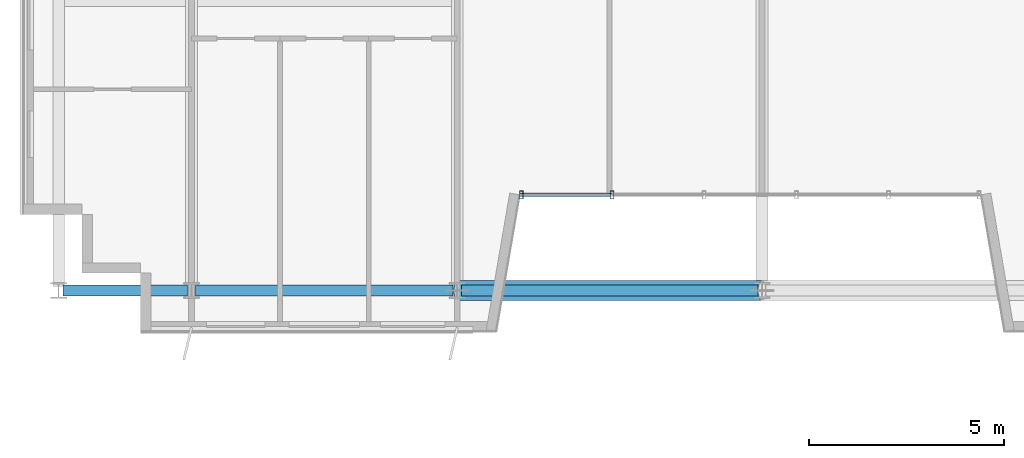
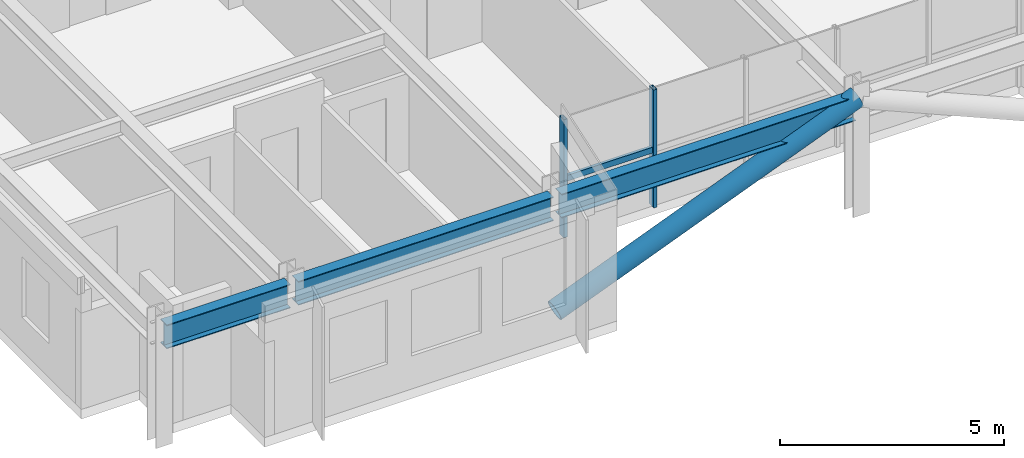
# One storey, part 4 of 25: 4 members, 3 beams, 1 element without a shape of its own.
"""IFC4 building model written with IfcOpenShell, lengths in metres."""

import ifcopenshell
import ifcopenshell.guid

model = None  # the IFC model being written
_history = None  # IfcOwnerHistory: only IFC2X3 demands one
_inside = {}  # id of a spatial element -> (the spatial element, [elements in it])
_under = {}  # id of a project, library or spatial element -> (it, [spatial elements below it])
_declared = {}  # id of a project -> (the project, [libraries it declares])
_typed = {}  # id of a type object -> (the type object, [elements of that type])
_made_of = {}  # id of a material, layer set ... -> (it, [elements and type objects made of it])


def new_model(schema):
    """Start an empty IFC model of exactly this schema.

    Asked for "IFC4X3", IfcOpenShell would pick the latest addendum, in which some entities
    have other attributes; the version numbers below select the first issue.
    IFC2X3 requires an IfcOwnerHistory on every rooted entity: one is made here for all.
    """
    global model, _history
    if schema == "IFC4X3":
        model = ifcopenshell.file(schema_version=(4, 3, 0, 0))
    else:
        model = ifcopenshell.file(schema=schema)
    _inside.clear()
    _under.clear()
    _declared.clear()
    _typed.clear()
    _made_of.clear()
    _history = None
    if model.schema == "IFC2X3":
        org = make("IfcOrganization", Name="unknown")
        user = make(
            "IfcPersonAndOrganization",
            ThePerson=make("IfcPerson", FamilyName="unknown"),
            TheOrganization=org,
        )
        app = make(
            "IfcApplication",
            ApplicationDeveloper=org,
            Version="unknown",
            ApplicationFullName="unknown",
            ApplicationIdentifier="unknown",
        )
        _history = make(
            "IfcOwnerHistory",
            OwningUser=user,
            OwningApplication=app,
            ChangeAction="ADDED",
            CreationDate=0,
        )
    return model


def make(cls, **values):
    """One entity of the class cls with the attributes given. An attribute that is None is left unset."""
    return model.create_entity(
        cls, **{name: value for name, value in values.items() if value is not None}
    )


def rooted(cls, **values):
    """An entity with a GlobalId (a new one), such as an element, a storey or a relation."""
    return make(cls, GlobalId=ifcopenshell.guid.new(), OwnerHistory=_history, **values)


def si_unit(unit_type, name, prefix=None):
    """IfcSIUnit, for example si_unit("LENGTHUNIT", "METRE", prefix="MILLI")."""
    return make("IfcSIUnit", UnitType=unit_type, Prefix=prefix, Name=name)


def assignment(units):
    """IfcUnitAssignment: the units of a project."""
    return None if units is None else make("IfcUnitAssignment", Units=units)


def point(xyz):
    """IfcCartesianPoint."""
    return None if xyz is None else make("IfcCartesianPoint", Coordinates=xyz)


def direction(xyz):
    """IfcDirection."""
    return None if xyz is None else make("IfcDirection", DirectionRatios=xyz)


def frame(location, z_axis=None, x_axis=None):
    """IfcAxis2Placement3D, a coordinate frame: its origin and axes. An axis left out is left unset."""
    return make(
        "IfcAxis2Placement3D",
        Location=point(location),
        Axis=direction(z_axis),
        RefDirection=direction(x_axis),
    )


def frame_2d(location, x_axis=None):
    """IfcAxis2Placement2D, a coordinate frame in the plane: its origin and x axis."""
    return make(
        "IfcAxis2Placement2D", Location=point(location), RefDirection=direction(x_axis)
    )


def origin():
    """The frame at (0, 0, 0) with its axes left unset."""
    return frame((0.0, 0.0, 0.0))


def origin_2d():
    """The frame at (0, 0) in the plane with its x axis left unset."""
    return frame_2d((0.0, 0.0))


def place(relative_to, where):
    """IfcLocalPlacement: puts the frame where relative to a parent placement (None: the world)."""
    return make(
        "IfcLocalPlacement", PlacementRelTo=relative_to, RelativePlacement=where
    )


def context(
    kind, dimensions, precision=None, world=None, true_north=None, identifier=None
):
    """IfcGeometricRepresentationContext, for example the 3D "Model" context."""
    return make(
        "IfcGeometricRepresentationContext",
        ContextIdentifier=identifier,
        ContextType=kind,
        CoordinateSpaceDimension=dimensions,
        Precision=precision,
        WorldCoordinateSystem=world,
        TrueNorth=true_north,
    )


def subcontext(parent, identifier, kind, view, scale=None):
    """IfcGeometricRepresentationSubContext, for example "Body" below "Model"."""
    return make(
        "IfcGeometricRepresentationSubContext",
        ContextIdentifier=identifier,
        ContextType=kind,
        ParentContext=parent,
        TargetScale=scale,
        TargetView=view,
    )


def project(units=None, contexts=None):
    """IfcProject with its units and contexts."""
    return rooted(
        "IfcProject",
        Name="project",
        RepresentationContexts=contexts,
        UnitsInContext=assignment(units),
    )


def spatial(cls, under=None, at=None, **own):
    """A site, building, storey or space (cls), placed at a placement, below another one or the project."""
    s = rooted(cls, ObjectPlacement=at, **own)
    if under is not None:
        _under.setdefault(under.id(), (under, []))[1].append(s)
    return s


def profile(cls, at=None, kind="AREA", **sizes):
    """A parametric profile (cls). Its sizes go by their IFC names, for example OverallWidth=200.0."""
    return make(cls, ProfileType=kind, Position=at, **sizes)


def hollow_rectangle(**sizes):
    """IfcRectangleHollowProfileDef."""
    return profile("IfcRectangleHollowProfileDef", **sizes)


def hollow_circle(**sizes):
    """IfcCircleHollowProfileDef."""
    return profile("IfcCircleHollowProfileDef", **sizes)


def i_section(**sizes):
    """IfcIShapeProfileDef."""
    return profile("IfcIShapeProfileDef", **sizes)


def extrude(swept, where, along, depth):
    """IfcExtrudedAreaSolid: the profile swept, set in the frame where, extruded along a direction by depth."""
    return make(
        "IfcExtrudedAreaSolid",
        SweptArea=swept,
        Position=where,
        ExtrudedDirection=direction(along),
        Depth=depth,
    )


def shape(context_of_items, identifier, shape_type, items):
    """IfcShapeRepresentation: the items that make up one representation, for example the "Body"."""
    return make(
        "IfcShapeRepresentation",
        ContextOfItems=context_of_items,
        RepresentationIdentifier=identifier,
        RepresentationType=shape_type,
        Items=items,
    )


def source(mapping_origin, context_of_items, identifier, shape_type, items):
    """IfcRepresentationMap: a shape defined once, which mapped items show again and again."""
    return make(
        "IfcRepresentationMap",
        MappingOrigin=mapping_origin,
        MappedRepresentation=shape(context_of_items, identifier, shape_type, items),
    )


def transform(
    local_origin,
    x_axis=None,
    y_axis=None,
    z_axis=None,
    scale=None,
    scale2=None,
    scale3=None,
    uniform=True,
):
    """IfcCartesianTransformationOperator3D, or its non-uniform kind. x_axis, y_axis, z_axis: its Axis1, 2, 3."""
    if uniform:
        return make(
            "IfcCartesianTransformationOperator3D",
            Axis1=direction(x_axis),
            Axis2=direction(y_axis),
            LocalOrigin=point(local_origin),
            Scale=scale,
            Axis3=direction(z_axis),
        )
    return make(
        "IfcCartesianTransformationOperator3DnonUniform",
        Axis1=direction(x_axis),
        Axis2=direction(y_axis),
        LocalOrigin=point(local_origin),
        Scale=scale,
        Axis3=direction(z_axis),
        Scale2=scale2,
        Scale3=scale3,
    )


def mapped(mapping_source, mapping_target):
    """IfcMappedItem: shows the shape of a source again, moved by a transform."""
    return make(
        "IfcMappedItem", MappingSource=mapping_source, MappingTarget=mapping_target
    )


def material(Name=None, Category=None):
    """IfcMaterial."""
    return make("IfcMaterial", Name=Name, Category=Category)


def material_profile(
    of_material, cross_section, Name=None, Category=None, Priority=None
):
    """IfcMaterialProfile: a cross section and its material."""
    return make(
        "IfcMaterialProfile",
        Name=Name,
        Material=of_material,
        Profile=cross_section,
        Priority=Priority,
        Category=Category,
    )


def profile_set(profiles, Name=None, composite=None):
    """IfcMaterialProfileSet."""
    return make(
        "IfcMaterialProfileSet",
        Name=Name,
        MaterialProfiles=profiles,
        CompositeProfile=composite,
    )


def made_of(thing, what):
    """Note that an element or type object is made of a material, layer set ...; save() writes the relation."""
    if what is not None:
        _made_of.setdefault(what.id(), (what, []))[1].append(thing)
    return thing


def type_object(cls, material=None, **own):
    """A type object (cls), such as IfcWallType, which elements share."""
    return made_of(rooted(cls, **own), material)


def element(
    cls,
    number,
    at=None,
    inside=None,
    cuts=None,
    type_object=None,
    material=None,
    context=None,
    identifier="Body",
    shape_type=None,
    held_by="IfcProductDefinitionShape",
    body=None,
    shapes=None,
    **own,
):
    """One element of the class cls, such as IfcWall. Its Tag is "e" and its number.

    at: its placement. inside: the storey or other place that contains it. cuts: it is an
    opening in that element (IfcRelVoidsElement). A single representation is given by context,
    identifier, shape_type and body (its items); several are given by shapes. held_by: the class
    of the entity that holds the representations. save() writes the other relations.
    """
    e = rooted(cls, Tag="e%d" % number, ObjectPlacement=at, **own)
    if body is not None:
        shapes = [shape(context, identifier, shape_type, body)]
    if shapes is not None:
        e.Representation = make(held_by, Representations=shapes)
    if inside is not None:
        _inside.setdefault(inside.id(), (inside, []))[1].append(e)
    if cuts is not None:
        rooted(
            "IfcRelVoidsElement", RelatingBuildingElement=cuts, RelatedOpeningElement=e
        )
    if type_object is not None:
        _typed.setdefault(type_object.id(), (type_object, []))[1].append(e)
    return made_of(e, material)


def aggregate(whole, parts):
    """IfcRelAggregates: a whole, such as a stair, and the parts it consists of."""
    return rooted("IfcRelAggregates", RelatingObject=whole, RelatedObjects=parts)


def save(model, path):
    """Write the relations noted so far, then the file.

    IfcRelAggregates (storeys below a building ...), IfcRelContainedInSpatialStructure (elements
    in a storey), IfcRelDefinesByType, IfcRelAssociatesMaterial and IfcRelDeclares: one each for
    every whole, place, type object, material and project.
    """
    for whole, parts in _under.values():
        aggregate(whole, parts)
    for where, things in _inside.values():
        rooted(
            "IfcRelContainedInSpatialStructure",
            RelatedElements=things,
            RelatingStructure=where,
        )
    for kind, things in _typed.values():
        rooted("IfcRelDefinesByType", RelatedObjects=things, RelatingType=kind)
    for what, things in _made_of.values():
        rooted("IfcRelAssociatesMaterial", RelatedObjects=things, RelatingMaterial=what)
    for by, libraries in _declared.values():
        rooted("IfcRelDeclares", RelatingContext=by, RelatedDefinitions=libraries)
    model.write(path)


model = new_model("IFC4")

# Units and contexts
model_context = context("Model", 3, precision=1e-05, world=origin(), true_north=direction((0.0, 1.0)))
body_context = subcontext(model_context, "Body", "Model", "MODEL_VIEW")
ifc_project = project(units=[si_unit("LENGTHUNIT", "METRE"), si_unit("AREAUNIT", "SQUARE_METRE"), si_unit("VOLUMEUNIT", "CUBIC_METRE"), si_unit("PLANEANGLEUNIT", "RADIAN"), si_unit("MASSUNIT", "GRAM", prefix="KILO")], contexts=[model_context])

# Site, building, storey
site_placement = place(None, origin())
site = spatial("IfcSite", under=ifc_project, at=site_placement, CompositionType="ELEMENT")
building_placement = place(site_placement, origin())
building = spatial("IfcBuilding", under=site, at=building_placement, Name="Trelvane Seafront Commons", CompositionType="ELEMENT")
storey_placement = place(building_placement, frame((0.0, 0.0, 70.300048828125)))
storey = spatial("IfcBuildingStorey", under=building, at=storey_placement, Name="L18", CompositionType="ELEMENT", Elevation=70.300048828125)

# Beams
ifc_material_1 = material(Name="Steel SM355 (S355)", Category="steel")
ifc_material_profile_1 = material_profile(ifc_material_1, i_section(OverallWidth=0.280029296875, OverallDepth=0.64990234375, WebThickness=0.012939453125, FlangeThickness=0.02197265625, at=origin_2d()), Name="H-650x280x13x22")
ifc_profile_set_1 = profile_set([ifc_material_profile_1], Name="Steel SM355 (S355)")
beam_type = type_object("IfcBeamType", Name="STR-BM-H650", PredefinedType="BEAM", material=ifc_profile_set_1)
shared_shape_1 = source(origin(), body_context, "Body", "SweptSolid", [
    extrude(i_section(OverallWidth=0.280029296875, OverallDepth=0.64990234375, WebThickness=0.012939453125, FlangeThickness=0.02197265625, at=origin_2d()), origin(), (0.0, 0.0, 1.0), 3.190185546875),
])
beam_1_placement = place(storey_placement, frame((5.5048828125, 3.949951171875, 2.89501953125), z_axis=(1.0, 0.0, 0.0), x_axis=(0.0, 1.0, 0.0)))
element("IfcBeam", 1, at=beam_1_placement, inside=storey, type_object=beam_type, Name="L18 Primary Girder G-01", PredefinedType="BEAM", context=body_context, shape_type="MappedRepresentation", body=[
    mapped(shared_shape_1, transform((0.0, 0.0, 0.0), x_axis=(1.0, 0.0, 0.0), y_axis=(0.0, 1.0, 0.0), z_axis=(0.0, 0.0, 1.0), scale=1.0)),
])
shared_shape_2 = source(origin(), body_context, "Body", "SweptSolid", [
    extrude(i_section(OverallWidth=0.280029296875, OverallDepth=0.64990234375, WebThickness=0.012939453125, FlangeThickness=0.02197265625, at=origin_2d()), origin(), (0.0, 0.0, 1.0), 6.590087890625),
])
beam_2_placement = place(storey_placement, frame((8.905029296875, 3.949951171875, 2.89501953125), z_axis=(1.0, 0.0, 0.0), x_axis=(0.0, 1.0, 0.0)))
element("IfcBeam", 2, at=beam_2_placement, inside=storey, type_object=beam_type, Name="L18 Primary Girder G-02", PredefinedType="BEAM", context=body_context, shape_type="MappedRepresentation", body=[
    mapped(shared_shape_2, transform((0.0, 0.0, 0.0), x_axis=(1.0, 0.0, 0.0), y_axis=(0.0, 1.0, 0.0), z_axis=(0.0, 0.0, 1.0), scale=1.0)),
])
shared_shape_3 = source(origin(), body_context, "Body", "SweptSolid", [
    extrude(i_section(OverallWidth=0.280029296875, OverallDepth=0.64990234375, WebThickness=0.012939453125, FlangeThickness=0.02197265625, at=origin_2d()), origin(), (0.0, 0.0, 1.0), 7.58984375),
])
beam_3_placement = place(storey_placement, frame((15.705078125, 3.949951171875, 2.89501953125), z_axis=(1.0, 0.0, 0.0), x_axis=(0.0, 1.0, 0.0)))
element("IfcBeam", 3, at=beam_3_placement, inside=storey, type_object=beam_type, Name="L18 Primary Girder G-03", PredefinedType="BEAM", context=body_context, shape_type="MappedRepresentation", body=[
    mapped(shared_shape_3, transform((0.0, 0.0, 0.0), x_axis=(1.0, 0.0, 0.0), y_axis=(0.0, 1.0, 0.0), z_axis=(0.0, 0.0, 1.0), scale=1.0)),
])

# Member
ifc_material_profile_2 = material_profile(ifc_material_1, hollow_circle(Radius=0.25390625, WallThickness=0.02001953125, at=origin_2d()), Name="CHS-508x20")
ifc_profile_set_2 = profile_set([ifc_material_profile_2], Name="Steel SM355 (S355)")
member_type_1 = type_object("IfcMemberType", Name="STR-STR-CHS508", PredefinedType="STRUT", material=ifc_profile_set_2)
shared_shape_4 = source(origin(), body_context, "Body", "SweptSolid", [
    extrude(hollow_circle(Radius=0.25390625, WallThickness=0.02001953125, at=origin_2d()), origin(), (0.0, 0.0, 1.0), 8.393310546875),
])
member_1_placement = place(storey_placement, frame((15.60009765625, 3.949951171875, 0.0), z_axis=(0.929298893238, 0.0, 0.369328535353), x_axis=(0.0, 1.0, 0.0)))
element("IfcMember", 4, at=member_1_placement, inside=storey, type_object=member_type_1, Name="L18 Sky-Garden V-Chevron Brace SGV-W", PredefinedType="STRUT", context=body_context, shape_type="MappedRepresentation", body=[
    mapped(shared_shape_4, transform((0.0, 0.0, 0.0), x_axis=(1.0, 0.0, 0.0), y_axis=(0.0, 1.0, 0.0), z_axis=(0.0, 0.0, 1.0), scale=1.0)),
])

# Curtain wall, members
ifc_material_2 = material(Name="Anodised pale-silver aluminium", Category="aluminium")
curtain_wall_type = type_object("IfcCurtainWallType", Name="ARCH-CW3-PORTAL", PredefinedType="NOTDEFINED", material=ifc_material_2)
curtain_wall_placement = place(storey_placement, origin())
curtain_wall = element("IfcCurtainWall", 5, at=curtain_wall_placement, inside=storey, type_object=curtain_wall_type, Name="CW-L18-VN-0044", PredefinedType="NOTDEFINED")
ifc_material_profile_3 = material_profile(ifc_material_2, hollow_rectangle(XDim=0.080078125, YDim=0.159912109375, WallThickness=0.00439453125, at=origin_2d()), Name="TRAN-80x160x4.5")
ifc_profile_set_3 = profile_set([ifc_material_profile_3], Name="Anodised pale-silver aluminium")
member_type_2 = type_object("IfcMemberType", Name="ARCH-CW-TRAN-160", PredefinedType="USERDEFINED", material=ifc_profile_set_3)
shared_shape_5 = source(origin(), body_context, "Body", "SweptSolid", [
    extrude(hollow_rectangle(XDim=0.080078125, YDim=0.159912109375, WallThickness=0.00439453125, at=origin_2d()), origin(), (0.0, 0.0, 1.0), 2.336181640625),
])
member_2_placement = place(storey_placement, frame((19.548095703125, 6.39990234375, 1.5458984375), z_axis=(-1.0, 0.0, 0.0), x_axis=(0.0, -1.0, 0.0)))
member_2 = element("IfcMember", 6, at=member_2_placement, type_object=member_type_2, Name="CW-L18-VN-0044-T04", ObjectType="TRANSOM", PredefinedType="USERDEFINED", context=body_context, shape_type="MappedRepresentation", body=[
    mapped(shared_shape_5, transform((0.0, 0.0, 0.0), x_axis=(1.0, 0.0, 0.0), y_axis=(0.0, 1.0, 0.0), z_axis=(0.0, 0.0, 1.0), scale=1.0)),
])
ifc_material_profile_4 = material_profile(ifc_material_2, hollow_rectangle(XDim=0.090087890625, YDim=0.199951171875, WallThickness=0.0048828125, at=origin_2d()), Name="MULL-90x200x5")
ifc_profile_set_4 = profile_set([ifc_material_profile_4], Name="Anodised pale-silver aluminium")
member_type_3 = type_object("IfcMemberType", Name="ARCH-CW-MULL-200", PredefinedType="MULLION", material=ifc_profile_set_4)
shared_shape_6 = source(origin(), body_context, "Body", "SweptSolid", [
    extrude(hollow_rectangle(XDim=0.090087890625, YDim=0.199951171875, WallThickness=0.0048828125, at=origin_2d()), origin(), (0.0, 0.0, 1.0), 3.219970703125),
])
member_3_placement = place(storey_placement, frame((19.56005859375, 6.39990234375, 0.0), z_axis=(0.0, 0.0, 1.0), x_axis=(1.0, 0.0, 0.0)))
member_3 = element("IfcMember", 7, at=member_3_placement, type_object=member_type_3, Name="CW-L18-VN-0044-M04", PredefinedType="MULLION", context=body_context, shape_type="MappedRepresentation", body=[
    mapped(shared_shape_6, transform((0.0, 0.0, 0.0), x_axis=(1.0, 0.0, 0.0), y_axis=(0.0, 1.0, 0.0), z_axis=(0.0, 0.0, 1.0), scale=1.0)),
])
member_4_placement = place(storey_placement, frame((17.239990234375, 6.39990234375, 0.0), z_axis=(0.0, 0.0, 1.0), x_axis=(1.0, 0.0, 0.0)))
member_4 = element("IfcMember", 8, at=member_4_placement, type_object=member_type_3, Name="CW-L18-VN-0044-M05", PredefinedType="MULLION", context=body_context, shape_type="MappedRepresentation", body=[
    mapped(shared_shape_6, transform((0.0, 0.0, 0.0), x_axis=(1.0, 0.0, 0.0), y_axis=(0.0, 1.0, 0.0), z_axis=(0.0, 0.0, 1.0), scale=1.0)),
])
aggregate(curtain_wall, [member_3, member_4, member_2])

save(model, "model.ifc")
